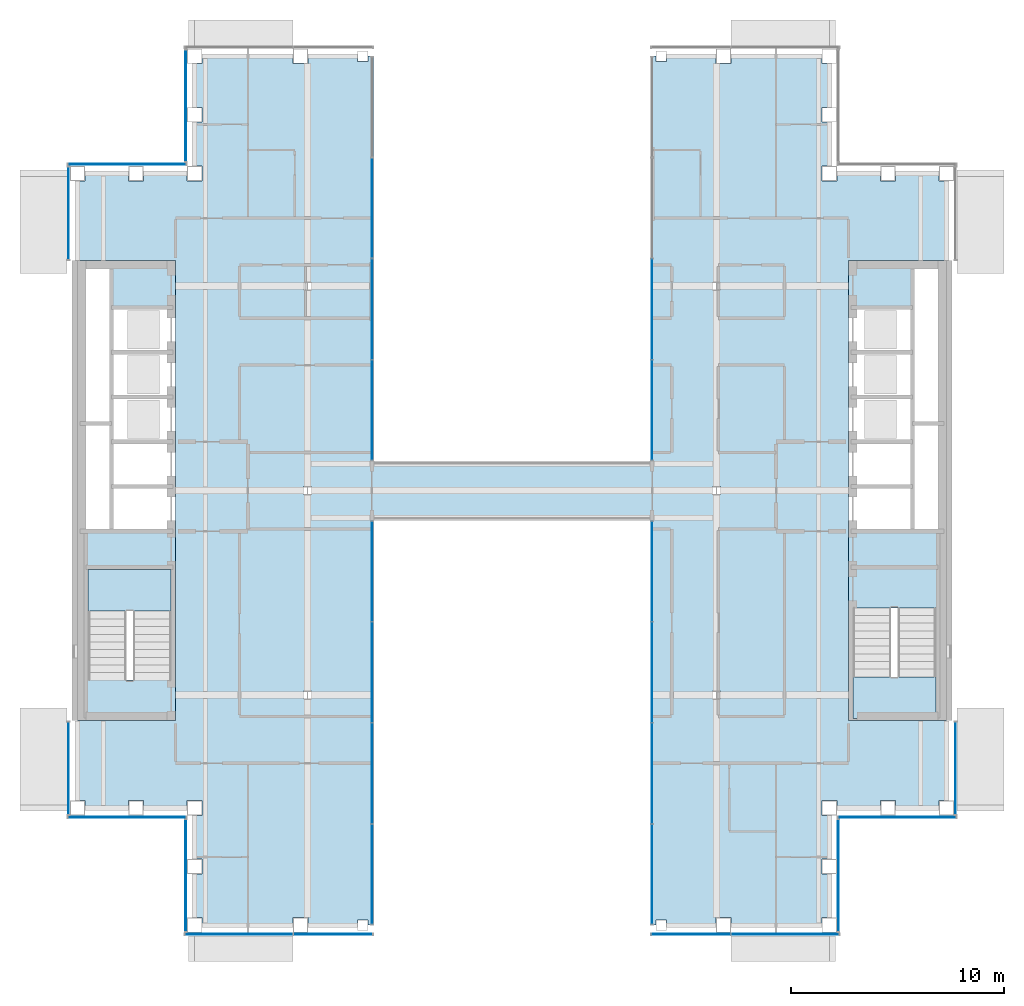
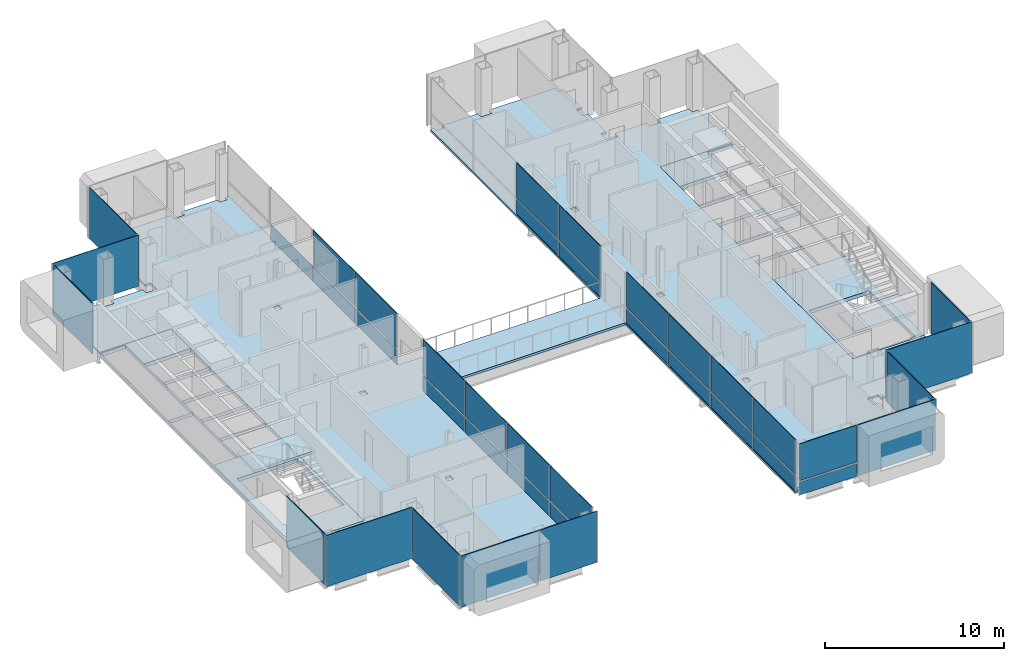
# One storey, part 9 of 17: 39 plates, 5 slabs, 17 elements without a shape of their own.
"""IFC4 building model written with IfcOpenShell, lengths in metres."""

from ifc_helpers import new_model, si_unit, direction, frame, origin, origin_2d, place, context, subcontext, project, spatial, polyline, rectangle, outline, extrude, material, layer, layer_set, type_object, element, aggregate, save


model = new_model("IFC4")

# Units and contexts
model_context = context("Model", 3, precision=1e-05, world=origin(), true_north=direction((0.0, 1.0)))
body_context = subcontext(model_context, "Body", "Model", "MODEL_VIEW")
ifc_project = project(units=[si_unit("LENGTHUNIT", "METRE"), si_unit("AREAUNIT", "SQUARE_METRE"), si_unit("VOLUMEUNIT", "CUBIC_METRE"), si_unit("PLANEANGLEUNIT", "RADIAN"), si_unit("MASSUNIT", "GRAM", prefix="KILO")], contexts=[model_context])

# Site, building, storey
site_placement = place(None, origin())
site = spatial("IfcSite", under=ifc_project, at=site_placement, CompositionType="ELEMENT")
building_placement = place(site_placement, origin())
building = spatial("IfcBuilding", under=site, at=building_placement, Name="Cobrizo Arcos Hotel Tower", CompositionType="ELEMENT")
storey_placement = place(building_placement, frame((0.0, 0.0, 233.0)))
storey = spatial("IfcBuildingStorey", under=building, at=storey_placement, Name="L61", CompositionType="ELEMENT", Elevation=233.0)

# Curtain wall, plates
ifc_material_1 = material(Name="Aluminium 6063-T6 anodised bronze", Category="aluminium")
curtain_wall_type_1 = type_object("IfcCurtainWallType", Name="CW-A guest facade", PredefinedType="NOTDEFINED", material=ifc_material_1)
curtain_wall_1_placement = place(storey_placement, origin())
curtain_wall_1 = element("IfcCurtainWall", 1, at=curtain_wall_1_placement, inside=storey, type_object=curtain_wall_type_1, Name="CW-A L61 S face", PredefinedType="NOTDEFINED")
ifc_material_2 = material(Name="Aluminium composite panel pale metal", Category="aluminium")
ifc_layer_1 = layer(ifc_material_2, 0.0400390625)
ifc_layer_set_1 = layer_set([ifc_layer_1], Name="CW-A spandrel panel")
plate_type_1 = type_object("IfcPlateType", Name="CW-A spandrel panel", PredefinedType="CURTAIN_PANEL", material=ifc_layer_set_1)
plate_1_placement = place(storey_placement, frame((-12.818359375, -20.824951171875, 0.0), z_axis=(0.0, 0.0, 1.0), x_axis=(1.0, 0.0, 0.0)))
plate_1 = element("IfcPlate", 2, at=plate_1_placement, type_object=plate_type_1, Name="CW-A spandrel panel 1968", PredefinedType="CURTAIN_PANEL", context=body_context, shape_type="SweptSolid", body=[
    extrude(rectangle(XDim=5.043212890625, YDim=0.0400390625, at=origin_2d()), origin(), (0.0, 0.0, 1.0), 3.5),
])
plate_2_placement = place(storey_placement, frame((-8.3984375, -20.824951171875, 0.0), z_axis=(0.0, 0.0, 1.0), x_axis=(1.0, 0.0, 0.0)))
plate_2 = element("IfcPlate", 3, at=plate_2_placement, type_object=plate_type_1, Name="CW-A spandrel panel 1969", PredefinedType="CURTAIN_PANEL", context=body_context, shape_type="SweptSolid", body=[
    extrude(rectangle(XDim=3.6767578125, YDim=0.0400390625, at=origin_2d()), origin(), (0.0, 0.0, 1.0), 3.5),
])
aggregate(curtain_wall_1, [plate_1, plate_2])

curtain_wall_2_placement = place(storey_placement, origin())
curtain_wall_2 = element("IfcCurtainWall", 4, at=curtain_wall_2_placement, inside=storey, type_object=curtain_wall_type_1, Name="CW-A L61 S face", PredefinedType="NOTDEFINED")
plate_3_placement = place(storey_placement, frame((8.3984375, -20.824951171875, 0.0), z_axis=(0.0, 0.0, 1.0), x_axis=(1.0, 0.0, 0.0)))
plate_3 = element("IfcPlate", 5, at=plate_3_placement, type_object=plate_type_1, Name="CW-A spandrel panel 1970", PredefinedType="CURTAIN_PANEL", context=body_context, shape_type="SweptSolid", body=[
    extrude(rectangle(XDim=3.6767578125, YDim=0.0400390625, at=origin_2d()), origin(), (0.0, 0.0, 1.0), 0.8701171875),
])
plate_4_placement = place(storey_placement, frame((8.3984375, -20.824951171875, 0.990234375), z_axis=(0.0, 0.0, 1.0), x_axis=(1.0, 0.0, 0.0)))
plate_4 = element("IfcPlate", 6, at=plate_4_placement, type_object=plate_type_1, Name="CW-A spandrel panel 1970", PredefinedType="CURTAIN_PANEL", context=body_context, shape_type="SweptSolid", body=[
    extrude(rectangle(XDim=3.6767578125, YDim=0.0400390625, at=origin_2d()), origin(), (0.0, 0.0, 1.0), 2.510009765625),
])
plate_5_placement = place(storey_placement, frame((12.818359375, -20.824951171875, 0.0), z_axis=(0.0, 0.0, 1.0), x_axis=(1.0, 0.0, 0.0)))
plate_5 = element("IfcPlate", 7, at=plate_5_placement, type_object=plate_type_1, Name="CW-A spandrel panel 1971", PredefinedType="CURTAIN_PANEL", context=body_context, shape_type="SweptSolid", body=[
    extrude(rectangle(XDim=5.043212890625, YDim=0.0400390625, at=origin_2d()), origin(), (0.0, 0.0, 1.0), 3.5),
])
aggregate(curtain_wall_2, [plate_3, plate_4, plate_5])

# Curtain wall, plate
curtain_wall_3_placement = place(storey_placement, origin())
curtain_wall_3 = element("IfcCurtainWall", 8, at=curtain_wall_3_placement, inside=storey, type_object=curtain_wall_type_1, Name="CW-A L61 E face", PredefinedType="NOTDEFINED")
plate_6_placement = place(storey_placement, frame((15.324951171875, -18.074951171875, 0.0), z_axis=(0.0, 0.0, 1.0), x_axis=(0.0, 1.0, 0.0)))
plate_6 = element("IfcPlate", 9, at=plate_6_placement, type_object=plate_type_1, Name="CW-A spandrel panel 1972", PredefinedType="CURTAIN_PANEL", context=body_context, shape_type="SweptSolid", body=[
    extrude(rectangle(XDim=5.22998046875, YDim=0.0400390625, at=origin_2d()), origin(), (0.0, 0.0, 1.0), 3.5),
])
aggregate(curtain_wall_3, [plate_6])

curtain_wall_4_placement = place(storey_placement, origin())
curtain_wall_4 = element("IfcCurtainWall", 10, at=curtain_wall_4_placement, inside=storey, type_object=curtain_wall_type_1, Name="CW-A L61 S face", PredefinedType="NOTDEFINED")
plate_7_placement = place(storey_placement, frame((18.074951171875, -15.324951171875, 0.0), z_axis=(0.0, 0.0, 1.0), x_axis=(1.0, 0.0, 0.0)))
plate_7 = element("IfcPlate", 11, at=plate_7_placement, type_object=plate_type_1, Name="CW-A spandrel panel 1973", PredefinedType="CURTAIN_PANEL", context=body_context, shape_type="SweptSolid", body=[
    extrude(rectangle(XDim=5.530029296875, YDim=0.0400390625, at=origin_2d()), origin(), (0.0, 0.0, 1.0), 3.5),
])
aggregate(curtain_wall_4, [plate_7])

curtain_wall_5_placement = place(storey_placement, origin())
curtain_wall_5 = element("IfcCurtainWall", 12, at=curtain_wall_5_placement, inside=storey, type_object=curtain_wall_type_1, Name="CW-A L61 E face", PredefinedType="NOTDEFINED")
plate_8_placement = place(storey_placement, frame((20.824951171875, -13.02490234375, 0.0), z_axis=(0.0, 0.0, 1.0), x_axis=(0.0, 1.0, 0.0)))
plate_8 = element("IfcPlate", 13, at=plate_8_placement, type_object=plate_type_1, Name="CW-A spandrel panel 1974", PredefinedType="CURTAIN_PANEL", context=body_context, shape_type="SweptSolid", body=[
    extrude(rectangle(XDim=4.330078125, YDim=0.0400390625, at=origin_2d()), origin(), (0.0, 0.0, 1.0), 3.5),
])
aggregate(curtain_wall_5, [plate_8])

curtain_wall_6_placement = place(storey_placement, origin())
curtain_wall_6 = element("IfcCurtainWall", 14, at=curtain_wall_6_placement, inside=storey, type_object=curtain_wall_type_1, Name="CW-A L61 W face", PredefinedType="NOTDEFINED")
plate_9_placement = place(storey_placement, frame((-15.324951171875, 18.074951171875, 0.0), z_axis=(0.0, 0.0, 1.0), x_axis=(0.0, -1.0, 0.0)))
plate_9 = element("IfcPlate", 15, at=plate_9_placement, type_object=plate_type_1, Name="CW-A spandrel panel 1982", PredefinedType="CURTAIN_PANEL", context=body_context, shape_type="SweptSolid", body=[
    extrude(rectangle(XDim=5.22998046875, YDim=0.0400390625, at=origin_2d()), origin(), (0.0, 0.0, 1.0), 3.5),
])
aggregate(curtain_wall_6, [plate_9])

curtain_wall_7_placement = place(storey_placement, origin())
curtain_wall_7 = element("IfcCurtainWall", 16, at=curtain_wall_7_placement, inside=storey, type_object=curtain_wall_type_1, Name="CW-A L61 N face", PredefinedType="NOTDEFINED")
plate_10_placement = place(storey_placement, frame((-18.074951171875, 15.324951171875, 0.0), z_axis=(0.0, 0.0, 1.0), x_axis=(-1.0, 0.0, 0.0)))
plate_10 = element("IfcPlate", 17, at=plate_10_placement, type_object=plate_type_1, Name="CW-A spandrel panel 1983", PredefinedType="CURTAIN_PANEL", context=body_context, shape_type="SweptSolid", body=[
    extrude(rectangle(XDim=5.530029296875, YDim=0.0400390625, at=origin_2d()), origin(), (0.0, 0.0, 1.0), 3.5),
])
aggregate(curtain_wall_7, [plate_10])

curtain_wall_8_placement = place(storey_placement, origin())
curtain_wall_8 = element("IfcCurtainWall", 18, at=curtain_wall_8_placement, inside=storey, type_object=curtain_wall_type_1, Name="CW-A L61 W face", PredefinedType="NOTDEFINED")
plate_11_placement = place(storey_placement, frame((-20.824951171875, 13.02490234375, 0.0), z_axis=(0.0, 0.0, 1.0), x_axis=(0.0, -1.0, 0.0)))
plate_11 = element("IfcPlate", 19, at=plate_11_placement, type_object=plate_type_1, Name="CW-A spandrel panel 1984", PredefinedType="CURTAIN_PANEL", context=body_context, shape_type="SweptSolid", body=[
    extrude(rectangle(XDim=4.330078125, YDim=0.0400390625, at=origin_2d()), origin(), (0.0, 0.0, 1.0), 3.5),
])
aggregate(curtain_wall_8, [plate_11])

curtain_wall_9_placement = place(storey_placement, origin())
curtain_wall_9 = element("IfcCurtainWall", 20, at=curtain_wall_9_placement, inside=storey, type_object=curtain_wall_type_1, Name="CW-A L61 W face", PredefinedType="NOTDEFINED")
plate_12_placement = place(storey_placement, frame((-20.824951171875, -13.02490234375, 0.0), z_axis=(0.0, 0.0, 1.0), x_axis=(0.0, -1.0, 0.0)))
plate_12 = element("IfcPlate", 21, at=plate_12_placement, type_object=plate_type_1, Name="CW-A spandrel panel 1985", PredefinedType="CURTAIN_PANEL", context=body_context, shape_type="SweptSolid", body=[
    extrude(rectangle(XDim=4.330078125, YDim=0.0400390625, at=origin_2d()), origin(), (0.0, 0.0, 1.0), 3.5),
])
aggregate(curtain_wall_9, [plate_12])

curtain_wall_10_placement = place(storey_placement, origin())
curtain_wall_10 = element("IfcCurtainWall", 22, at=curtain_wall_10_placement, inside=storey, type_object=curtain_wall_type_1, Name="CW-A L61 S face", PredefinedType="NOTDEFINED")
plate_13_placement = place(storey_placement, frame((-18.074951171875, -15.324951171875, 0.0), z_axis=(0.0, 0.0, 1.0), x_axis=(1.0, 0.0, 0.0)))
plate_13 = element("IfcPlate", 23, at=plate_13_placement, type_object=plate_type_1, Name="CW-A spandrel panel 1986", PredefinedType="CURTAIN_PANEL", context=body_context, shape_type="SweptSolid", body=[
    extrude(rectangle(XDim=5.530029296875, YDim=0.0400390625, at=origin_2d()), origin(), (0.0, 0.0, 1.0), 3.5),
])
aggregate(curtain_wall_10, [plate_13])

curtain_wall_11_placement = place(storey_placement, origin())
curtain_wall_11 = element("IfcCurtainWall", 24, at=curtain_wall_11_placement, inside=storey, type_object=curtain_wall_type_1, Name="CW-A L61 W face", PredefinedType="NOTDEFINED")
plate_14_placement = place(storey_placement, frame((-15.324951171875, -18.074951171875, 0.0), z_axis=(0.0, 0.0, 1.0), x_axis=(0.0, -1.0, 0.0)))
plate_14 = element("IfcPlate", 25, at=plate_14_placement, type_object=plate_type_1, Name="CW-A spandrel panel 1987", PredefinedType="CURTAIN_PANEL", context=body_context, shape_type="SweptSolid", body=[
    extrude(rectangle(XDim=5.22998046875, YDim=0.0400390625, at=origin_2d()), origin(), (0.0, 0.0, 1.0), 3.5),
])
aggregate(curtain_wall_11, [plate_14])

# Curtain wall, plates
curtain_wall_type_2 = type_object("IfcCurtainWallType", Name="CW-F void screen", PredefinedType="NOTDEFINED", material=ifc_material_1)
curtain_wall_12_placement = place(storey_placement, origin())
curtain_wall_12 = element("IfcCurtainWall", 26, at=curtain_wall_12_placement, inside=storey, type_object=curtain_wall_type_2, Name="CW-F L61 void screen C", PredefinedType="NOTDEFINED")
ifc_material_3 = material(Name="Glass clear laminated low-e", Category="glass")
ifc_layer_2 = layer(ifc_material_3, 0.0400390625)
ifc_layer_set_2 = layer_set([ifc_layer_2], Name="CW-F glass panel")
plate_type_2 = type_object("IfcPlateType", Name="CW-F glass panel", PredefinedType="CURTAIN_PANEL", material=ifc_layer_set_2)
plate_15_placement = place(storey_placement, frame((6.574951171875, -18.010009765625, 0.0), z_axis=(0.0, 0.0, 1.0), x_axis=(0.0, 1.0, 0.0)))
plate_15 = element("IfcPlate", 27, at=plate_15_placement, type_object=plate_type_2, Name="CW-F glass panel 2748", PredefinedType="CURTAIN_PANEL", context=body_context, shape_type="SweptSolid", body=[
    extrude(rectangle(XDim=4.659912109375, YDim=0.0400390625, at=origin_2d()), origin(), (0.0, 0.0, 1.0), 0.989990234375),
])
plate_16_placement = place(storey_placement, frame((6.574951171875, -18.010009765625, 1.10986328125), z_axis=(0.0, 0.0, 1.0), x_axis=(0.0, 1.0, 0.0)))
plate_16 = element("IfcPlate", 28, at=plate_16_placement, type_object=plate_type_2, Name="CW-F glass panel 2748", PredefinedType="CURTAIN_PANEL", context=body_context, shape_type="SweptSolid", body=[
    extrude(rectangle(XDim=4.659912109375, YDim=0.0400390625, at=origin_2d()), origin(), (0.0, 0.0, 1.0), 2.389892578125),
])
plate_17_placement = place(storey_placement, frame((6.574951171875, -13.27490234375, 0.0), z_axis=(0.0, 0.0, 1.0), x_axis=(0.0, 1.0, 0.0)))
plate_17 = element("IfcPlate", 29, at=plate_17_placement, type_object=plate_type_2, Name="CW-F glass panel 2749", PredefinedType="CURTAIN_PANEL", context=body_context, shape_type="SweptSolid", body=[
    extrude(rectangle(XDim=4.68994140625, YDim=0.0400390625, at=origin_2d()), origin(), (0.0, 0.0, 1.0), 0.989990234375),
])
plate_18_placement = place(storey_placement, frame((6.574951171875, -13.27490234375, 1.10986328125), z_axis=(0.0, 0.0, 1.0), x_axis=(0.0, 1.0, 0.0)))
plate_18 = element("IfcPlate", 30, at=plate_18_placement, type_object=plate_type_2, Name="CW-F glass panel 2749", PredefinedType="CURTAIN_PANEL", context=body_context, shape_type="SweptSolid", body=[
    extrude(rectangle(XDim=4.68994140625, YDim=0.0400390625, at=origin_2d()), origin(), (0.0, 0.0, 1.0), 2.389892578125),
])
plate_19_placement = place(storey_placement, frame((6.574951171875, -8.52490234375, 0.0), z_axis=(0.0, 0.0, 1.0), x_axis=(0.0, 1.0, 0.0)))
plate_19 = element("IfcPlate", 31, at=plate_19_placement, type_object=plate_type_2, Name="CW-F glass panel 2750", PredefinedType="CURTAIN_PANEL", context=body_context, shape_type="SweptSolid", body=[
    extrude(rectangle(XDim=4.68994140625, YDim=0.0400390625, at=origin_2d()), origin(), (0.0, 0.0, 1.0), 0.989990234375),
])
plate_20_placement = place(storey_placement, frame((6.574951171875, -8.52490234375, 1.10986328125), z_axis=(0.0, 0.0, 1.0), x_axis=(0.0, 1.0, 0.0)))
plate_20 = element("IfcPlate", 32, at=plate_20_placement, type_object=plate_type_2, Name="CW-F glass panel 2750", PredefinedType="CURTAIN_PANEL", context=body_context, shape_type="SweptSolid", body=[
    extrude(rectangle(XDim=4.68994140625, YDim=0.0400390625, at=origin_2d()), origin(), (0.0, 0.0, 1.0), 2.389892578125),
])
plate_21_placement = place(storey_placement, frame((6.574951171875, -3.7900390625, 0.0), z_axis=(0.0, 0.0, 1.0), x_axis=(0.0, 1.0, 0.0)))
plate_21 = element("IfcPlate", 33, at=plate_21_placement, type_object=plate_type_2, Name="CW-F glass panel 2751", PredefinedType="CURTAIN_PANEL", context=body_context, shape_type="SweptSolid", body=[
    extrude(rectangle(XDim=4.659912109375, YDim=0.0400390625, at=origin_2d()), origin(), (0.0, 0.0, 1.0), 0.989990234375),
])
plate_22_placement = place(storey_placement, frame((6.574951171875, -3.7900390625, 1.10986328125), z_axis=(0.0, 0.0, 1.0), x_axis=(0.0, 1.0, 0.0)))
plate_22 = element("IfcPlate", 34, at=plate_22_placement, type_object=plate_type_2, Name="CW-F glass panel 2751", PredefinedType="CURTAIN_PANEL", context=body_context, shape_type="SweptSolid", body=[
    extrude(rectangle(XDim=4.659912109375, YDim=0.0400390625, at=origin_2d()), origin(), (0.0, 0.0, 1.0), 2.389892578125),
])
aggregate(curtain_wall_12, [plate_15, plate_16, plate_17, plate_18, plate_19, plate_20, plate_21, plate_22])

curtain_wall_13_placement = place(storey_placement, origin())
curtain_wall_13 = element("IfcCurtainWall", 35, at=curtain_wall_13_placement, inside=storey, type_object=curtain_wall_type_2, Name="CW-F L61 void screen C", PredefinedType="NOTDEFINED")
plate_23_placement = place(storey_placement, frame((6.574951171875, 3.7900390625, 0.0), z_axis=(0.0, 0.0, 1.0), x_axis=(0.0, 1.0, 0.0)))
plate_23 = element("IfcPlate", 36, at=plate_23_placement, type_object=plate_type_2, Name="CW-F glass panel 2752", PredefinedType="CURTAIN_PANEL", context=body_context, shape_type="SweptSolid", body=[
    extrude(rectangle(XDim=4.659912109375, YDim=0.0400390625, at=origin_2d()), origin(), (0.0, 0.0, 1.0), 0.989990234375),
])
plate_24_placement = place(storey_placement, frame((6.574951171875, 3.7900390625, 1.10986328125), z_axis=(0.0, 0.0, 1.0), x_axis=(0.0, 1.0, 0.0)))
plate_24 = element("IfcPlate", 37, at=plate_24_placement, type_object=plate_type_2, Name="CW-F glass panel 2752", PredefinedType="CURTAIN_PANEL", context=body_context, shape_type="SweptSolid", body=[
    extrude(rectangle(XDim=4.659912109375, YDim=0.0400390625, at=origin_2d()), origin(), (0.0, 0.0, 1.0), 2.389892578125),
])
plate_25_placement = place(storey_placement, frame((6.574951171875, 8.52490234375, 0.0), z_axis=(0.0, 0.0, 1.0), x_axis=(0.0, 1.0, 0.0)))
plate_25 = element("IfcPlate", 38, at=plate_25_placement, type_object=plate_type_2, Name="CW-F glass panel 2753", PredefinedType="CURTAIN_PANEL", context=body_context, shape_type="SweptSolid", body=[
    extrude(rectangle(XDim=4.68994140625, YDim=0.0400390625, at=origin_2d()), origin(), (0.0, 0.0, 1.0), 0.989990234375),
])
plate_26_placement = place(storey_placement, frame((6.574951171875, 8.52490234375, 1.10986328125), z_axis=(0.0, 0.0, 1.0), x_axis=(0.0, 1.0, 0.0)))
plate_26 = element("IfcPlate", 39, at=plate_26_placement, type_object=plate_type_2, Name="CW-F glass panel 2753", PredefinedType="CURTAIN_PANEL", context=body_context, shape_type="SweptSolid", body=[
    extrude(rectangle(XDim=4.68994140625, YDim=0.0400390625, at=origin_2d()), origin(), (0.0, 0.0, 1.0), 2.389892578125),
])
aggregate(curtain_wall_13, [plate_23, plate_24, plate_25, plate_26])

curtain_wall_14_placement = place(storey_placement, origin())
curtain_wall_14 = element("IfcCurtainWall", 40, at=curtain_wall_14_placement, inside=storey, type_object=curtain_wall_type_2, Name="CW-F L61 void screen C", PredefinedType="NOTDEFINED")
plate_27_placement = place(storey_placement, frame((-6.574951171875, 13.27490234375, 0.0), z_axis=(0.0, 0.0, 1.0), x_axis=(0.0, -1.0, 0.0)))
plate_27 = element("IfcPlate", 41, at=plate_27_placement, type_object=plate_type_2, Name="CW-F glass panel 2757", PredefinedType="CURTAIN_PANEL", context=body_context, shape_type="SweptSolid", body=[
    extrude(rectangle(XDim=4.68994140625, YDim=0.0400390625, at=origin_2d()), origin(), (0.0, 0.0, 1.0), 0.989990234375),
])
plate_28_placement = place(storey_placement, frame((-6.574951171875, 8.52490234375, 0.0), z_axis=(0.0, 0.0, 1.0), x_axis=(0.0, -1.0, 0.0)))
plate_28 = element("IfcPlate", 42, at=plate_28_placement, type_object=plate_type_2, Name="CW-F glass panel 2758", PredefinedType="CURTAIN_PANEL", context=body_context, shape_type="SweptSolid", body=[
    extrude(rectangle(XDim=4.68994140625, YDim=0.0400390625, at=origin_2d()), origin(), (0.0, 0.0, 1.0), 0.989990234375),
])
plate_29_placement = place(storey_placement, frame((-6.574951171875, 8.52490234375, 1.10986328125), z_axis=(0.0, 0.0, 1.0), x_axis=(0.0, -1.0, 0.0)))
plate_29 = element("IfcPlate", 43, at=plate_29_placement, type_object=plate_type_2, Name="CW-F glass panel 2758", PredefinedType="CURTAIN_PANEL", context=body_context, shape_type="SweptSolid", body=[
    extrude(rectangle(XDim=4.68994140625, YDim=0.0400390625, at=origin_2d()), origin(), (0.0, 0.0, 1.0), 2.389892578125),
])
plate_30_placement = place(storey_placement, frame((-6.574951171875, 3.7900390625, 0.0), z_axis=(0.0, 0.0, 1.0), x_axis=(0.0, -1.0, 0.0)))
plate_30 = element("IfcPlate", 44, at=plate_30_placement, type_object=plate_type_2, Name="CW-F glass panel 2759", PredefinedType="CURTAIN_PANEL", context=body_context, shape_type="SweptSolid", body=[
    extrude(rectangle(XDim=4.659912109375, YDim=0.0400390625, at=origin_2d()), origin(), (0.0, 0.0, 1.0), 0.989990234375),
])
plate_31_placement = place(storey_placement, frame((-6.574951171875, 3.7900390625, 1.10986328125), z_axis=(0.0, 0.0, 1.0), x_axis=(0.0, -1.0, 0.0)))
plate_31 = element("IfcPlate", 45, at=plate_31_placement, type_object=plate_type_2, Name="CW-F glass panel 2759", PredefinedType="CURTAIN_PANEL", context=body_context, shape_type="SweptSolid", body=[
    extrude(rectangle(XDim=4.659912109375, YDim=0.0400390625, at=origin_2d()), origin(), (0.0, 0.0, 1.0), 2.389892578125),
])
aggregate(curtain_wall_14, [plate_27, plate_28, plate_29, plate_30, plate_31])

curtain_wall_15_placement = place(storey_placement, origin())
curtain_wall_15 = element("IfcCurtainWall", 46, at=curtain_wall_15_placement, inside=storey, type_object=curtain_wall_type_2, Name="CW-F L61 void screen C", PredefinedType="NOTDEFINED")
plate_32_placement = place(storey_placement, frame((-6.574951171875, -3.7900390625, 0.0), z_axis=(0.0, 0.0, 1.0), x_axis=(0.0, -1.0, 0.0)))
plate_32 = element("IfcPlate", 47, at=plate_32_placement, type_object=plate_type_2, Name="CW-F glass panel 2760", PredefinedType="CURTAIN_PANEL", context=body_context, shape_type="SweptSolid", body=[
    extrude(rectangle(XDim=4.659912109375, YDim=0.0400390625, at=origin_2d()), origin(), (0.0, 0.0, 1.0), 0.989990234375),
])
plate_33_placement = place(storey_placement, frame((-6.574951171875, -3.7900390625, 1.10986328125), z_axis=(0.0, 0.0, 1.0), x_axis=(0.0, -1.0, 0.0)))
plate_33 = element("IfcPlate", 48, at=plate_33_placement, type_object=plate_type_2, Name="CW-F glass panel 2760", PredefinedType="CURTAIN_PANEL", context=body_context, shape_type="SweptSolid", body=[
    extrude(rectangle(XDim=4.659912109375, YDim=0.0400390625, at=origin_2d()), origin(), (0.0, 0.0, 1.0), 2.389892578125),
])
plate_34_placement = place(storey_placement, frame((-6.574951171875, -8.52490234375, 0.0), z_axis=(0.0, 0.0, 1.0), x_axis=(0.0, -1.0, 0.0)))
plate_34 = element("IfcPlate", 49, at=plate_34_placement, type_object=plate_type_2, Name="CW-F glass panel 2761", PredefinedType="CURTAIN_PANEL", context=body_context, shape_type="SweptSolid", body=[
    extrude(rectangle(XDim=4.68994140625, YDim=0.0400390625, at=origin_2d()), origin(), (0.0, 0.0, 1.0), 0.989990234375),
])
plate_35_placement = place(storey_placement, frame((-6.574951171875, -8.52490234375, 1.10986328125), z_axis=(0.0, 0.0, 1.0), x_axis=(0.0, -1.0, 0.0)))
plate_35 = element("IfcPlate", 50, at=plate_35_placement, type_object=plate_type_2, Name="CW-F glass panel 2761", PredefinedType="CURTAIN_PANEL", context=body_context, shape_type="SweptSolid", body=[
    extrude(rectangle(XDim=4.68994140625, YDim=0.0400390625, at=origin_2d()), origin(), (0.0, 0.0, 1.0), 2.389892578125),
])
plate_36_placement = place(storey_placement, frame((-6.574951171875, -13.27490234375, 0.0), z_axis=(0.0, 0.0, 1.0), x_axis=(0.0, -1.0, 0.0)))
plate_36 = element("IfcPlate", 51, at=plate_36_placement, type_object=plate_type_2, Name="CW-F glass panel 2762", PredefinedType="CURTAIN_PANEL", context=body_context, shape_type="SweptSolid", body=[
    extrude(rectangle(XDim=4.68994140625, YDim=0.0400390625, at=origin_2d()), origin(), (0.0, 0.0, 1.0), 0.989990234375),
])
plate_37_placement = place(storey_placement, frame((-6.574951171875, -13.27490234375, 1.10986328125), z_axis=(0.0, 0.0, 1.0), x_axis=(0.0, -1.0, 0.0)))
plate_37 = element("IfcPlate", 52, at=plate_37_placement, type_object=plate_type_2, Name="CW-F glass panel 2762", PredefinedType="CURTAIN_PANEL", context=body_context, shape_type="SweptSolid", body=[
    extrude(rectangle(XDim=4.68994140625, YDim=0.0400390625, at=origin_2d()), origin(), (0.0, 0.0, 1.0), 2.389892578125),
])
plate_38_placement = place(storey_placement, frame((-6.574951171875, -18.010009765625, 0.0), z_axis=(0.0, 0.0, 1.0), x_axis=(0.0, -1.0, 0.0)))
plate_38 = element("IfcPlate", 53, at=plate_38_placement, type_object=plate_type_2, Name="CW-F glass panel 2763", PredefinedType="CURTAIN_PANEL", context=body_context, shape_type="SweptSolid", body=[
    extrude(rectangle(XDim=4.659912109375, YDim=0.0400390625, at=origin_2d()), origin(), (0.0, 0.0, 1.0), 0.989990234375),
])
plate_39_placement = place(storey_placement, frame((-6.574951171875, -18.010009765625, 1.10986328125), z_axis=(0.0, 0.0, 1.0), x_axis=(0.0, -1.0, 0.0)))
plate_39 = element("IfcPlate", 54, at=plate_39_placement, type_object=plate_type_2, Name="CW-F glass panel 2763", PredefinedType="CURTAIN_PANEL", context=body_context, shape_type="SweptSolid", body=[
    extrude(rectangle(XDim=4.659912109375, YDim=0.0400390625, at=origin_2d()), origin(), (0.0, 0.0, 1.0), 2.389892578125),
])
aggregate(curtain_wall_15, [plate_32, plate_33, plate_34, plate_35, plate_36, plate_37, plate_38, plate_39])

# Slabs
ifc_material_4 = material(Name="Concrete f'c 35 MPa", Category="concrete")
ifc_layer_3 = layer(ifc_material_4, 0.14990234375)
ifc_layer_set_3 = layer_set([ifc_layer_3], Name="Composite floor slab 150 f'c 35")
slab_type_1 = type_object("IfcSlabType", Name="Composite floor slab 150 f'c 35", PredefinedType="FLOOR", material=ifc_layer_set_3)
slab_1_placement = place(storey_placement, frame((0.0, 0.0, -0.14990234375)))
element("IfcSlab", 55, at=slab_1_placement, inside=storey, type_object=slab_type_1, Name="Floor slab S5, L61, no. 01", PredefinedType="FLOOR", context=body_context, shape_type="SweptSolid", body=[
    extrude(outline(polyline([(17.300048828125, 14.89990234375), (17.300048828125, 14.550048828125), (18.0, 14.550048828125), (18.0, 14.89990234375), (20.050048828125, 14.89990234375), (20.050048828125, 14.550048828125), (20.39990234375, 14.550048828125), (20.39990234375, 10.800048828125), (15.800048828125, 10.800048828125), (15.800048828125, -10.800048828125), (20.39990234375, -10.800048828125), (20.39990234375, -14.550048828125), (20.050048828125, -14.550048828125), (20.050048828125, -14.89990234375), (18.0, -14.89990234375), (18.0, -14.550048828125), (17.300048828125, -14.550048828125), (17.300048828125, -14.89990234375), (15.25, -14.89990234375), (15.25, -14.550048828125), (14.550048828125, -14.550048828125), (14.550048828125, -15.25), (14.89990234375, -15.25), (14.89990234375, -17.300048828125), (14.550048828125, -17.300048828125), (14.550048828125, -18.0), (14.89990234375, -18.0), (14.89990234375, -20.050048828125), (14.550048828125, -20.050048828125), (14.550048828125, -20.39990234375), (10.282958984375, -20.39990234375), (10.282958984375, -20.050048828125), (9.5830078125, -20.050048828125), (9.5830078125, -20.39990234375), (7.25, -20.39990234375), (7.25, -20.14990234375), (6.75, -20.14990234375), (6.75, -20.39990234375), (6.5, -20.39990234375), (6.5, -1.39990234375), (-6.5, -1.39990234375), (-6.5, -20.39990234375), (-6.75, -20.39990234375), (-6.75, -20.14990234375), (-7.25, -20.14990234375), (-7.25, -20.39990234375), (-9.5830078125, -20.39990234375), (-9.5830078125, -20.050048828125), (-10.282958984375, -20.050048828125), (-10.282958984375, -20.39990234375), (-14.550048828125, -20.39990234375), (-14.550048828125, -20.050048828125), (-14.89990234375, -20.050048828125), (-14.89990234375, -18.0), (-14.550048828125, -18.0), (-14.550048828125, -17.300048828125), (-14.89990234375, -17.300048828125), (-14.89990234375, -15.25), (-14.550048828125, -15.25), (-14.550048828125, -14.550048828125), (-15.25, -14.550048828125), (-15.25, -14.89990234375), (-17.300048828125, -14.89990234375), (-17.300048828125, -14.550048828125), (-18.0, -14.550048828125), (-18.0, -14.89990234375), (-20.050048828125, -14.89990234375), (-20.050048828125, -14.550048828125), (-20.39990234375, -14.550048828125), (-20.39990234375, -10.800048828125), (-15.800048828125, -10.800048828125), (-15.800048828125, 10.800048828125), (-20.39990234375, 10.800048828125), (-20.39990234375, 14.550048828125), (-20.050048828125, 14.550048828125), (-20.050048828125, 14.89990234375), (-18.0, 14.89990234375), (-18.0, 14.550048828125), (-17.300048828125, 14.550048828125), (-17.300048828125, 14.89990234375), (-15.25, 14.89990234375), (-15.25, 14.550048828125), (-14.550048828125, 14.550048828125), (-14.550048828125, 15.25), (-14.89990234375, 15.25), (-14.89990234375, 17.300048828125), (-14.550048828125, 17.300048828125), (-14.550048828125, 18.0), (-14.89990234375, 18.0), (-14.89990234375, 20.050048828125), (-14.550048828125, 20.050048828125), (-14.550048828125, 20.39990234375), (-10.282958984375, 20.39990234375), (-10.282958984375, 20.050048828125), (-9.5830078125, 20.050048828125), (-9.5830078125, 20.39990234375), (-7.25, 20.39990234375), (-7.25, 20.14990234375), (-6.75, 20.14990234375), (-6.75, 20.39990234375), (-6.5, 20.39990234375), (-6.5, 1.39990234375), (6.5, 1.39990234375), (6.5, 20.39990234375), (6.75, 20.39990234375), (6.75, 20.14990234375), (7.25, 20.14990234375), (7.25, 20.39990234375), (9.5830078125, 20.39990234375), (9.5830078125, 20.050048828125), (10.282958984375, 20.050048828125), (10.282958984375, 20.39990234375), (14.550048828125, 20.39990234375), (14.550048828125, 20.050048828125), (14.89990234375, 20.050048828125), (14.89990234375, 18.0), (14.550048828125, 18.0), (14.550048828125, 17.300048828125), (14.89990234375, 17.300048828125), (14.89990234375, 15.25), (14.550048828125, 15.25), (14.550048828125, 14.550048828125), (15.25, 14.550048828125), (15.25, 14.89990234375), (17.300048828125, 14.89990234375)]), holes=[polyline([(-9.78662109375, -9.78662109375), (-9.413330078125, -9.78662109375), (-9.413330078125, -9.413330078125), (-9.78662109375, -9.413330078125), (-9.78662109375, -9.78662109375)]), polyline([(-9.413330078125, -0.186767578125), (-9.413330078125, 0.186767578125), (-9.78662109375, 0.186767578125), (-9.78662109375, -0.186767578125), (-9.413330078125, -0.186767578125)]), polyline([(-9.413330078125, 9.413330078125), (-9.413330078125, 9.78662109375), (-9.78662109375, 9.78662109375), (-9.78662109375, 9.413330078125), (-9.413330078125, 9.413330078125)]), polyline([(9.413330078125, -9.78662109375), (9.78662109375, -9.78662109375), (9.78662109375, -9.413330078125), (9.413330078125, -9.413330078125), (9.413330078125, -9.78662109375)]), polyline([(9.413330078125, -0.186767578125), (9.78662109375, -0.186767578125), (9.78662109375, 0.186767578125), (9.413330078125, 0.186767578125), (9.413330078125, -0.186767578125)]), polyline([(9.78662109375, 9.413330078125), (9.78662109375, 9.78662109375), (9.413330078125, 9.78662109375), (9.413330078125, 9.413330078125), (9.78662109375, 9.413330078125)])]), origin(), (0.0, 0.0, 1.0), 0.14990234375),
])
ifc_material_5 = material(Name="Concrete f'c 40 MPa", Category="concrete")
ifc_layer_4 = layer(ifc_material_5, 0.25)
ifc_layer_set_4 = layer_set([ifc_layer_4], Name="RC core floor slab 250 f'c 40")
slab_type_2 = type_object("IfcSlabType", Name="RC core floor slab 250 f'c 40", PredefinedType="FLOOR", material=ifc_layer_set_4)
slab_2_placement = place(storey_placement, frame((0.0, 0.0, -0.25)))
element("IfcSlab", 56, at=slab_2_placement, inside=storey, type_object=slab_type_2, Name="Core floor slab CS7, east core, L61", PredefinedType="FLOOR", context=body_context, shape_type="SweptSolid", body=[
    extrude(outline(polyline([(15.800048828125, 10.800048828125), (20.39990234375, 10.800048828125), (20.39990234375, -10.800048828125), (15.800048828125, -10.800048828125), (15.800048828125, 10.800048828125)]), holes=[polyline([(19.89794921875, -10.697998046875), (19.89794921875, -5.501953125), (16.001953125, -5.501953125), (16.001953125, -10.697998046875), (19.89794921875, -10.697998046875)]), polyline([(15.802001953125, 0.197998046875), (15.802001953125, -1.89794921875), (18.798095703125, -1.89794921875), (18.798095703125, 0.197998046875), (15.802001953125, 0.197998046875)]), polyline([(20.39794921875, 3.137939453125), (18.802001953125, 3.137939453125), (18.802001953125, -1.89794921875), (20.39794921875, -1.89794921875), (20.39794921875, 3.137939453125)]), polyline([(18.798095703125, 2.298095703125), (15.802001953125, 2.298095703125), (15.802001953125, 0.201904296875), (18.798095703125, 0.201904296875), (18.798095703125, 2.298095703125)]), polyline([(18.798095703125, 4.39794921875), (15.802001953125, 4.39794921875), (15.802001953125, 2.302001953125), (18.798095703125, 2.302001953125), (18.798095703125, 4.39794921875)]), polyline([(18.798095703125, 6.498046875), (15.802001953125, 6.498046875), (15.802001953125, 4.402099609375), (18.798095703125, 4.402099609375), (18.798095703125, 6.498046875)]), polyline([(20.39794921875, 10.697998046875), (18.802001953125, 10.697998046875), (18.802001953125, 3.14208984375), (20.39794921875, 3.14208984375), (20.39794921875, 10.697998046875)]), polyline([(18.798095703125, 8.597900390625), (15.802001953125, 8.597900390625), (15.802001953125, 6.501953125), (18.798095703125, 6.501953125), (18.798095703125, 8.597900390625)])]), origin(), (0.0, 0.0, 1.0), 0.25),
])
slab_3_placement = place(storey_placement, frame((0.0, 0.0, -0.25)))
element("IfcSlab", 57, at=slab_3_placement, inside=storey, type_object=slab_type_2, Name="Core floor slab CS7, west core, L61", PredefinedType="FLOOR", context=body_context, shape_type="SweptSolid", body=[
    extrude(outline(polyline([(-20.39990234375, 10.800048828125), (-15.800048828125, 10.800048828125), (-15.800048828125, -10.800048828125), (-20.39990234375, -10.800048828125), (-20.39990234375, 10.800048828125)]), holes=[polyline([(-19.89794921875, -3.701904296875), (-19.89794921875, -8.89794921875), (-16.001953125, -8.89794921875), (-16.001953125, -3.701904296875), (-19.89794921875, -3.701904296875)]), polyline([(-18.798095703125, 0.197998046875), (-18.798095703125, -1.89794921875), (-15.802001953125, -1.89794921875), (-15.802001953125, 0.197998046875), (-18.798095703125, 0.197998046875)]), polyline([(-18.802001953125, 3.137939453125), (-20.39794921875, 3.137939453125), (-20.39794921875, -1.89794921875), (-18.802001953125, -1.89794921875), (-18.802001953125, 3.137939453125)]), polyline([(-15.802001953125, 2.298095703125), (-18.798095703125, 2.298095703125), (-18.798095703125, 0.201904296875), (-15.802001953125, 0.201904296875), (-15.802001953125, 2.298095703125)]), polyline([(-15.802001953125, 4.39794921875), (-18.798095703125, 4.39794921875), (-18.798095703125, 2.302001953125), (-15.802001953125, 2.302001953125), (-15.802001953125, 4.39794921875)]), polyline([(-15.802001953125, 6.498046875), (-18.798095703125, 6.498046875), (-18.798095703125, 4.402099609375), (-15.802001953125, 4.402099609375), (-15.802001953125, 6.498046875)]), polyline([(-18.802001953125, 10.697998046875), (-20.39794921875, 10.697998046875), (-20.39794921875, 3.14208984375), (-18.802001953125, 3.14208984375), (-18.802001953125, 10.697998046875)]), polyline([(-15.802001953125, 8.597900390625), (-18.798095703125, 8.597900390625), (-18.798095703125, 6.501953125), (-15.802001953125, 6.501953125), (-15.802001953125, 8.597900390625)])]), origin(), (0.0, 0.0, 1.0), 0.25),
])

# Stair, slab
stair_type = type_object("IfcStairType", Name="Exit stair", PredefinedType="HALF_TURN_STAIR", material=ifc_material_5)
stair_1_placement = place(storey_placement, origin())
stair_1 = element("IfcStair", 58, at=stair_1_placement, inside=storey, type_object=stair_type, Name="L61 Exit stair ST-W", PredefinedType="HALF_TURN_STAIR")
ifc_layer_5 = layer(ifc_material_5, 0.199951171875)
ifc_layer_set_5 = layer_set([ifc_layer_5], Name="Stair landing")
slab_type_3 = type_object("IfcSlabType", Name="Stair landing", PredefinedType="LANDING", material=ifc_layer_set_5)
slab_4_placement = place(storey_placement, frame((0.0, 0.0, 1.550048828125)))
slab_4 = element("IfcSlab", 59, at=slab_4_placement, type_object=slab_type_3, Name="ST-W landing 1", PredefinedType="LANDING", context=body_context, shape_type="SweptSolid", body=[
    extrude(outline(polyline([(-16.0, -5.659912109375), (-16.0, -3.699951171875), (-19.89990234375, -3.699951171875), (-19.89990234375, -5.659912109375), (-16.0, -5.659912109375)])), origin(), (0.0, 0.0, 1.0), 0.199951171875),
])
aggregate(stair_1, [slab_4])

stair_2_placement = place(storey_placement, origin())
stair_2 = element("IfcStair", 60, at=stair_2_placement, inside=storey, type_object=stair_type, Name="L61 Exit stair ST-E", PredefinedType="HALF_TURN_STAIR")
slab_5_placement = place(storey_placement, frame((0.0, 0.0, 1.550048828125)))
slab_5 = element("IfcSlab", 61, at=slab_5_placement, type_object=slab_type_3, Name="ST-E landing 1", PredefinedType="LANDING", context=body_context, shape_type="SweptSolid", body=[
    extrude(outline(polyline([(16.0, -8.739990234375), (16.0, -10.699951171875), (19.89990234375, -10.699951171875), (19.89990234375, -8.739990234375), (16.0, -8.739990234375)])), origin(), (0.0, 0.0, 1.0), 0.199951171875),
])
aggregate(stair_2, [slab_5])

save(model, "model.ifc")
